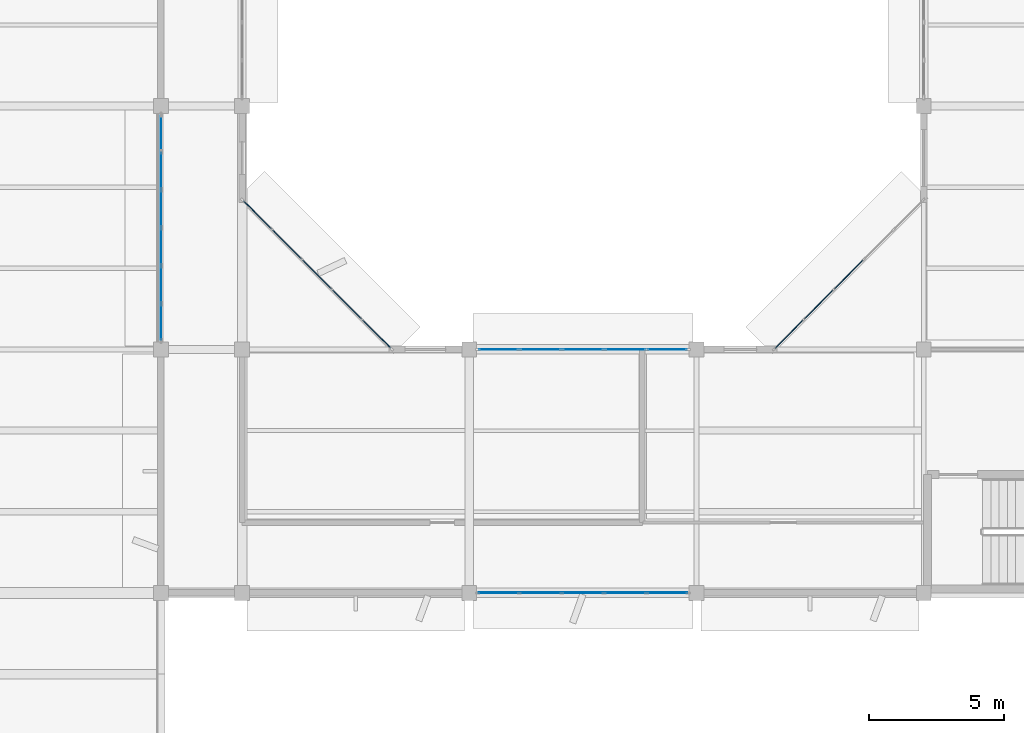
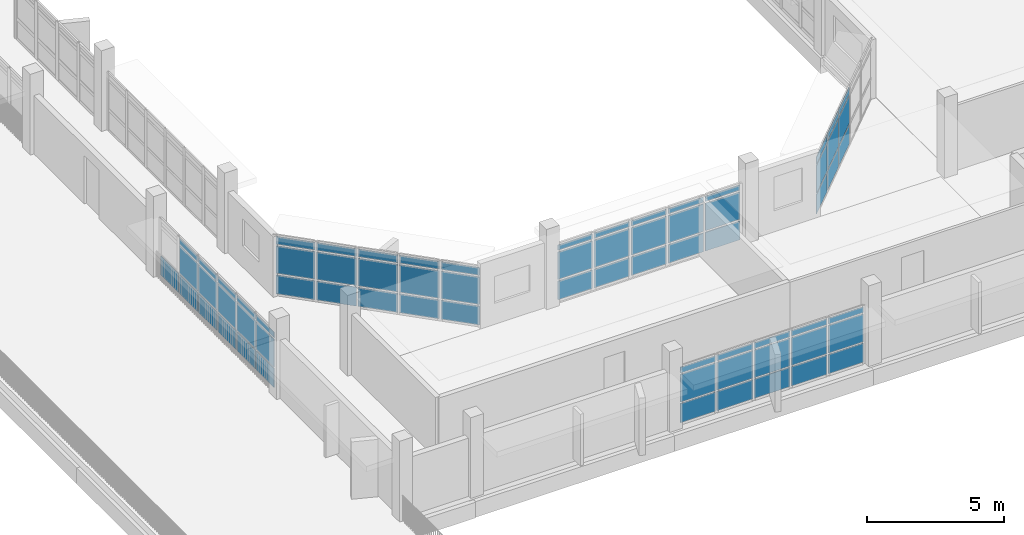
# One storey, part 46 of 92: 70 plates, 5 elements without a shape of their own.
"""IFC4 building model written with IfcOpenShell, lengths in metres."""

from ifc_helpers import new_model, si_unit, direction, frame, origin, origin_2d, place, context, subcontext, project, spatial, rectangle, extrude, material, layer, layer_set, type_object, element, aggregate, save


model = new_model("IFC4")

# Units and contexts
model_context = context("Model", 3, precision=1e-05, world=origin(), true_north=direction((0.0, 1.0)))
body_context = subcontext(model_context, "Body", "Model", "MODEL_VIEW")
ifc_project = project(units=[si_unit("LENGTHUNIT", "METRE"), si_unit("AREAUNIT", "SQUARE_METRE"), si_unit("VOLUMEUNIT", "CUBIC_METRE"), si_unit("PLANEANGLEUNIT", "RADIAN"), si_unit("MASSUNIT", "GRAM", prefix="KILO")], contexts=[model_context])

# Site, building, storey
site_placement = place(None, origin())
site = spatial("IfcSite", under=ifc_project, at=site_placement, CompositionType="ELEMENT")
building_placement = place(site_placement, origin())
building = spatial("IfcBuilding", under=site, at=building_placement, Name="Vanh Quang Courtyard School", CompositionType="ELEMENT")
storey_placement = place(building_placement, frame((0.0, 0.0, 7.800048828125)))
storey = spatial("IfcBuildingStorey", under=building, at=storey_placement, Name="L02", CompositionType="ELEMENT", Elevation=7.800048828125)

# Curtain wall, plates
ifc_material_1 = material(Name="Thermally broken aluminium unitised curtain wall", Category="aluminium")
curtain_wall_type_1 = type_object("IfcCurtainWallType", Name="CW-SYS-48", PredefinedType="NOTDEFINED", material=ifc_material_1)
curtain_wall_1_placement = place(storey_placement, origin())
curtain_wall_1 = element("IfcCurtainWall", 1, at=curtain_wall_1_placement, inside=storey, type_object=curtain_wall_type_1, Name="Curtain Wall CW-48 (L02)", PredefinedType="NOTDEFINED")
ifc_material_2 = material(Name="Low-E laminated double glazing", Category="glass")
ifc_layer_1 = layer(ifc_material_2, 0.028076171875)
ifc_layer_set_1 = layer_set([ifc_layer_1], Name="Low-E laminated double glazing")
plate_type_1 = type_object("IfcPlateType", Name="CW-PNL-28", PredefinedType="CURTAIN_PANEL", material=ifc_layer_set_1)
plate_1_placement = place(storey_placement, frame((37.800048828125, 42.4033203125, 0.06982421875), z_axis=(0.0, 0.0, 1.0), x_axis=(0.0, 1.0, 0.0)))
plate_1 = element("IfcPlate", 2, at=plate_1_placement, type_object=plate_type_1, Name="CW-48 panel 1.1", PredefinedType="CURTAIN_PANEL", context=body_context, shape_type="SweptSolid", body=[
    extrude(rectangle(XDim=1.30078125, YDim=0.028076171875, at=origin_2d()), origin(), (0.0, 0.0, 1.0), 0.844970703125),
])
plate_2_placement = place(storey_placement, frame((37.800048828125, 42.4033203125, 0.98486328125), z_axis=(0.0, 0.0, 1.0), x_axis=(0.0, 1.0, 0.0)))
plate_2 = element("IfcPlate", 3, at=plate_2_placement, type_object=plate_type_1, Name="CW-48 panel 1.2", PredefinedType="CURTAIN_PANEL", context=body_context, shape_type="SweptSolid", body=[
    extrude(rectangle(XDim=1.30078125, YDim=0.028076171875, at=origin_2d()), origin(), (0.0, 0.0, 1.0), 1.22998046875),
])
plate_3_placement = place(storey_placement, frame((37.800048828125, 42.4033203125, 2.284912109375), z_axis=(0.0, 0.0, 1.0), x_axis=(0.0, 1.0, 0.0)))
plate_3 = element("IfcPlate", 4, at=plate_3_placement, type_object=plate_type_1, Name="CW-48 panel 1.3", PredefinedType="CURTAIN_PANEL", context=body_context, shape_type="SweptSolid", body=[
    extrude(rectangle(XDim=1.30078125, YDim=0.028076171875, at=origin_2d()), origin(), (0.0, 0.0, 1.0), 0.2451171875),
])
plate_4_placement = place(storey_placement, frame((37.800048828125, 43.79150390625, 0.06982421875), z_axis=(0.0, 0.0, 1.0), x_axis=(0.0, 1.0, 0.0)))
plate_4 = element("IfcPlate", 5, at=plate_4_placement, type_object=plate_type_1, Name="CW-48 panel 2.1", PredefinedType="CURTAIN_PANEL", context=body_context, shape_type="SweptSolid", body=[
    extrude(rectangle(XDim=1.335693359375, YDim=0.028076171875, at=origin_2d()), origin(), (0.0, 0.0, 1.0), 0.844970703125),
])
plate_5_placement = place(storey_placement, frame((37.800048828125, 43.79150390625, 0.98486328125), z_axis=(0.0, 0.0, 1.0), x_axis=(0.0, 1.0, 0.0)))
plate_5 = element("IfcPlate", 6, at=plate_5_placement, type_object=plate_type_1, Name="CW-48 panel 2.2", PredefinedType="CURTAIN_PANEL", context=body_context, shape_type="SweptSolid", body=[
    extrude(rectangle(XDim=1.335693359375, YDim=0.028076171875, at=origin_2d()), origin(), (0.0, 0.0, 1.0), 1.22998046875),
])
plate_6_placement = place(storey_placement, frame((37.800048828125, 43.79150390625, 2.284912109375), z_axis=(0.0, 0.0, 1.0), x_axis=(0.0, 1.0, 0.0)))
plate_6 = element("IfcPlate", 7, at=plate_6_placement, type_object=plate_type_1, Name="CW-48 panel 2.3", PredefinedType="CURTAIN_PANEL", context=body_context, shape_type="SweptSolid", body=[
    extrude(rectangle(XDim=1.335693359375, YDim=0.028076171875, at=origin_2d()), origin(), (0.0, 0.0, 1.0), 0.2451171875),
])
plate_7_placement = place(storey_placement, frame((37.800048828125, 45.197265625, 0.06982421875), z_axis=(0.0, 0.0, 1.0), x_axis=(0.0, 1.0, 0.0)))
plate_7 = element("IfcPlate", 8, at=plate_7_placement, type_object=plate_type_1, Name="CW-48 panel 3.1", PredefinedType="CURTAIN_PANEL", context=body_context, shape_type="SweptSolid", body=[
    extrude(rectangle(XDim=1.335693359375, YDim=0.028076171875, at=origin_2d()), origin(), (0.0, 0.0, 1.0), 0.844970703125),
])
plate_8_placement = place(storey_placement, frame((37.800048828125, 45.197265625, 0.98486328125), z_axis=(0.0, 0.0, 1.0), x_axis=(0.0, 1.0, 0.0)))
plate_8 = element("IfcPlate", 9, at=plate_8_placement, type_object=plate_type_1, Name="CW-48 panel 3.2", PredefinedType="CURTAIN_PANEL", context=body_context, shape_type="SweptSolid", body=[
    extrude(rectangle(XDim=1.335693359375, YDim=0.028076171875, at=origin_2d()), origin(), (0.0, 0.0, 1.0), 1.22998046875),
])
plate_9_placement = place(storey_placement, frame((37.800048828125, 45.197265625, 2.284912109375), z_axis=(0.0, 0.0, 1.0), x_axis=(0.0, 1.0, 0.0)))
plate_9 = element("IfcPlate", 10, at=plate_9_placement, type_object=plate_type_1, Name="CW-48 panel 3.3", PredefinedType="CURTAIN_PANEL", context=body_context, shape_type="SweptSolid", body=[
    extrude(rectangle(XDim=1.335693359375, YDim=0.028076171875, at=origin_2d()), origin(), (0.0, 0.0, 1.0), 0.2451171875),
])
plate_10_placement = place(storey_placement, frame((37.800048828125, 46.602783203125, 0.06982421875), z_axis=(0.0, 0.0, 1.0), x_axis=(0.0, 1.0, 0.0)))
plate_10 = element("IfcPlate", 11, at=plate_10_placement, type_object=plate_type_1, Name="CW-48 panel 4.1", PredefinedType="CURTAIN_PANEL", context=body_context, shape_type="SweptSolid", body=[
    extrude(rectangle(XDim=1.335693359375, YDim=0.028076171875, at=origin_2d()), origin(), (0.0, 0.0, 1.0), 0.844970703125),
])
plate_11_placement = place(storey_placement, frame((37.800048828125, 46.602783203125, 0.98486328125), z_axis=(0.0, 0.0, 1.0), x_axis=(0.0, 1.0, 0.0)))
plate_11 = element("IfcPlate", 12, at=plate_11_placement, type_object=plate_type_1, Name="CW-48 panel 4.2", PredefinedType="CURTAIN_PANEL", context=body_context, shape_type="SweptSolid", body=[
    extrude(rectangle(XDim=1.335693359375, YDim=0.028076171875, at=origin_2d()), origin(), (0.0, 0.0, 1.0), 1.22998046875),
])
plate_12_placement = place(storey_placement, frame((37.800048828125, 46.602783203125, 2.284912109375), z_axis=(0.0, 0.0, 1.0), x_axis=(0.0, 1.0, 0.0)))
plate_12 = element("IfcPlate", 13, at=plate_12_placement, type_object=plate_type_1, Name="CW-48 panel 4.3", PredefinedType="CURTAIN_PANEL", context=body_context, shape_type="SweptSolid", body=[
    extrude(rectangle(XDim=1.335693359375, YDim=0.028076171875, at=origin_2d()), origin(), (0.0, 0.0, 1.0), 0.2451171875),
])
plate_13_placement = place(storey_placement, frame((37.800048828125, 48.008544921875, 0.06982421875), z_axis=(0.0, 0.0, 1.0), x_axis=(0.0, 1.0, 0.0)))
plate_13 = element("IfcPlate", 14, at=plate_13_placement, type_object=plate_type_1, Name="CW-48 panel 5.1", PredefinedType="CURTAIN_PANEL", context=body_context, shape_type="SweptSolid", body=[
    extrude(rectangle(XDim=1.335693359375, YDim=0.028076171875, at=origin_2d()), origin(), (0.0, 0.0, 1.0), 0.844970703125),
])
plate_14_placement = place(storey_placement, frame((37.800048828125, 48.008544921875, 0.98486328125), z_axis=(0.0, 0.0, 1.0), x_axis=(0.0, 1.0, 0.0)))
plate_14 = element("IfcPlate", 15, at=plate_14_placement, type_object=plate_type_1, Name="CW-48 panel 5.2", PredefinedType="CURTAIN_PANEL", context=body_context, shape_type="SweptSolid", body=[
    extrude(rectangle(XDim=1.335693359375, YDim=0.028076171875, at=origin_2d()), origin(), (0.0, 0.0, 1.0), 1.22998046875),
])
plate_15_placement = place(storey_placement, frame((37.800048828125, 48.008544921875, 2.284912109375), z_axis=(0.0, 0.0, 1.0), x_axis=(0.0, 1.0, 0.0)))
plate_15 = element("IfcPlate", 16, at=plate_15_placement, type_object=plate_type_1, Name="CW-48 panel 5.3", PredefinedType="CURTAIN_PANEL", context=body_context, shape_type="SweptSolid", body=[
    extrude(rectangle(XDim=1.335693359375, YDim=0.028076171875, at=origin_2d()), origin(), (0.0, 0.0, 1.0), 0.2451171875),
])
plate_16_placement = place(storey_placement, frame((37.800048828125, 49.396728515625, 0.06982421875), z_axis=(0.0, 0.0, 1.0), x_axis=(0.0, 1.0, 0.0)))
plate_16 = element("IfcPlate", 17, at=plate_16_placement, type_object=plate_type_1, Name="CW-48 panel 6.1", PredefinedType="CURTAIN_PANEL", context=body_context, shape_type="SweptSolid", body=[
    extrude(rectangle(XDim=1.30078125, YDim=0.028076171875, at=origin_2d()), origin(), (0.0, 0.0, 1.0), 0.844970703125),
])
aggregate(curtain_wall_1, [plate_1, plate_2, plate_3, plate_4, plate_5, plate_6, plate_7, plate_8, plate_9, plate_10, plate_11, plate_12, plate_13, plate_14, plate_15, plate_16])

curtain_wall_type_2 = type_object("IfcCurtainWallType", Name="CW-SYS-51", PredefinedType="NOTDEFINED", material=ifc_material_1)
curtain_wall_2_placement = place(storey_placement, origin())
curtain_wall_2 = element("IfcCurtainWall", 18, at=curtain_wall_2_placement, inside=storey, type_object=curtain_wall_type_2, Name="Curtain Wall CW-51 (L02)", PredefinedType="NOTDEFINED")
plate_17_placement = place(storey_placement, frame((41.36669921875, 46.377197265625, 0.06982421875), z_axis=(0.0, 0.0, 1.0), x_axis=(0.707106781187, -0.707106781187, 0.0)))
plate_17 = element("IfcPlate", 19, at=plate_17_placement, type_object=plate_type_1, Name="CW-51 panel 1.1", PredefinedType="CURTAIN_PANEL", context=body_context, shape_type="SweptSolid", body=[
    extrude(rectangle(XDim=1.463134765625, YDim=0.028076171875, at=origin_2d()), origin(), (0.0, 0.0, 1.0), 0.844970703125),
])
plate_18_placement = place(storey_placement, frame((41.36669921875, 46.377197265625, 0.98486328125), z_axis=(0.0, 0.0, 1.0), x_axis=(0.707106781187, -0.707106781187, 0.0)))
plate_18 = element("IfcPlate", 20, at=plate_18_placement, type_object=plate_type_1, Name="CW-51 panel 1.2", PredefinedType="CURTAIN_PANEL", context=body_context, shape_type="SweptSolid", body=[
    extrude(rectangle(XDim=1.463134765625, YDim=0.028076171875, at=origin_2d()), origin(), (0.0, 0.0, 1.0), 1.22998046875),
])
plate_19_placement = place(storey_placement, frame((41.36669921875, 46.377197265625, 2.28515625), z_axis=(0.0, 0.0, 1.0), x_axis=(0.707106781187, -0.707106781187, 0.0)))
plate_19 = element("IfcPlate", 21, at=plate_19_placement, type_object=plate_type_1, Name="CW-51 panel 1.3", PredefinedType="CURTAIN_PANEL", context=body_context, shape_type="SweptSolid", body=[
    extrude(rectangle(XDim=1.463134765625, YDim=0.028076171875, at=origin_2d()), origin(), (0.0, 0.0, 1.0), 0.344970703125),
])
plate_20_placement = place(storey_placement, frame((42.463134765625, 45.28076171875, 0.06982421875), z_axis=(0.0, 0.0, 1.0), x_axis=(0.707106781187, -0.707106781187, 0.0)))
plate_20 = element("IfcPlate", 22, at=plate_20_placement, type_object=plate_type_1, Name="CW-51 panel 2.1", PredefinedType="CURTAIN_PANEL", context=body_context, shape_type="SweptSolid", body=[
    extrude(rectangle(XDim=1.498046875, YDim=0.028076171875, at=origin_2d()), origin(), (0.0, 0.0, 1.0), 0.844970703125),
])
plate_21_placement = place(storey_placement, frame((42.463134765625, 45.28076171875, 0.98486328125), z_axis=(0.0, 0.0, 1.0), x_axis=(0.707106781187, -0.707106781187, 0.0)))
plate_21 = element("IfcPlate", 23, at=plate_21_placement, type_object=plate_type_1, Name="CW-51 panel 2.2", PredefinedType="CURTAIN_PANEL", context=body_context, shape_type="SweptSolid", body=[
    extrude(rectangle(XDim=1.498046875, YDim=0.028076171875, at=origin_2d()), origin(), (0.0, 0.0, 1.0), 1.22998046875),
])
plate_22_placement = place(storey_placement, frame((42.463134765625, 45.28076171875, 2.28515625), z_axis=(0.0, 0.0, 1.0), x_axis=(0.707106781187, -0.707106781187, 0.0)))
plate_22 = element("IfcPlate", 24, at=plate_22_placement, type_object=plate_type_1, Name="CW-51 panel 2.3", PredefinedType="CURTAIN_PANEL", context=body_context, shape_type="SweptSolid", body=[
    extrude(rectangle(XDim=1.498046875, YDim=0.028076171875, at=origin_2d()), origin(), (0.0, 0.0, 1.0), 0.344970703125),
])
plate_23_placement = place(storey_placement, frame((43.572021484375, 44.172119140625, 0.06982421875), z_axis=(0.0, 0.0, 1.0), x_axis=(0.707106781187, -0.707106781187, 0.0)))
plate_23 = element("IfcPlate", 25, at=plate_23_placement, type_object=plate_type_1, Name="CW-51 panel 3.1", PredefinedType="CURTAIN_PANEL", context=body_context, shape_type="SweptSolid", body=[
    extrude(rectangle(XDim=1.498046875, YDim=0.028076171875, at=origin_2d()), origin(), (0.0, 0.0, 1.0), 0.844970703125),
])
plate_24_placement = place(storey_placement, frame((43.572021484375, 44.172119140625, 0.98486328125), z_axis=(0.0, 0.0, 1.0), x_axis=(0.707106781187, -0.707106781187, 0.0)))
plate_24 = element("IfcPlate", 26, at=plate_24_placement, type_object=plate_type_1, Name="CW-51 panel 3.2", PredefinedType="CURTAIN_PANEL", context=body_context, shape_type="SweptSolid", body=[
    extrude(rectangle(XDim=1.498046875, YDim=0.028076171875, at=origin_2d()), origin(), (0.0, 0.0, 1.0), 1.22998046875),
])
plate_25_placement = place(storey_placement, frame((43.572021484375, 44.172119140625, 2.28515625), z_axis=(0.0, 0.0, 1.0), x_axis=(0.707106781187, -0.707106781187, 0.0)))
plate_25 = element("IfcPlate", 27, at=plate_25_placement, type_object=plate_type_1, Name="CW-51 panel 3.3", PredefinedType="CURTAIN_PANEL", context=body_context, shape_type="SweptSolid", body=[
    extrude(rectangle(XDim=1.498046875, YDim=0.028076171875, at=origin_2d()), origin(), (0.0, 0.0, 1.0), 0.344970703125),
])
plate_26_placement = place(storey_placement, frame((44.680908203125, 43.063232421875, 0.06982421875), z_axis=(0.0, 0.0, 1.0), x_axis=(0.707106781187, -0.707106781187, 0.0)))
plate_26 = element("IfcPlate", 28, at=plate_26_placement, type_object=plate_type_1, Name="CW-51 panel 4.1", PredefinedType="CURTAIN_PANEL", context=body_context, shape_type="SweptSolid", body=[
    extrude(rectangle(XDim=1.498046875, YDim=0.028076171875, at=origin_2d()), origin(), (0.0, 0.0, 1.0), 0.844970703125),
])
plate_27_placement = place(storey_placement, frame((44.680908203125, 43.063232421875, 0.98486328125), z_axis=(0.0, 0.0, 1.0), x_axis=(0.707106781187, -0.707106781187, 0.0)))
plate_27 = element("IfcPlate", 29, at=plate_27_placement, type_object=plate_type_1, Name="CW-51 panel 4.2", PredefinedType="CURTAIN_PANEL", context=body_context, shape_type="SweptSolid", body=[
    extrude(rectangle(XDim=1.498046875, YDim=0.028076171875, at=origin_2d()), origin(), (0.0, 0.0, 1.0), 1.22998046875),
])
plate_28_placement = place(storey_placement, frame((44.680908203125, 43.063232421875, 2.28515625), z_axis=(0.0, 0.0, 1.0), x_axis=(0.707106781187, -0.707106781187, 0.0)))
plate_28 = element("IfcPlate", 30, at=plate_28_placement, type_object=plate_type_1, Name="CW-51 panel 4.3", PredefinedType="CURTAIN_PANEL", context=body_context, shape_type="SweptSolid", body=[
    extrude(rectangle(XDim=1.498046875, YDim=0.028076171875, at=origin_2d()), origin(), (0.0, 0.0, 1.0), 0.344970703125),
])
plate_29_placement = place(storey_placement, frame((45.77734375, 41.966796875, 0.06982421875), z_axis=(0.0, 0.0, 1.0), x_axis=(0.707106781187, -0.707106781187, 0.0)))
plate_29 = element("IfcPlate", 31, at=plate_29_placement, type_object=plate_type_1, Name="CW-51 panel 5.1", PredefinedType="CURTAIN_PANEL", context=body_context, shape_type="SweptSolid", body=[
    extrude(rectangle(XDim=1.463134765625, YDim=0.028076171875, at=origin_2d()), origin(), (0.0, 0.0, 1.0), 0.844970703125),
])
plate_30_placement = place(storey_placement, frame((45.77734375, 41.966796875, 0.98486328125), z_axis=(0.0, 0.0, 1.0), x_axis=(0.707106781187, -0.707106781187, 0.0)))
plate_30 = element("IfcPlate", 32, at=plate_30_placement, type_object=plate_type_1, Name="CW-51 panel 5.2", PredefinedType="CURTAIN_PANEL", context=body_context, shape_type="SweptSolid", body=[
    extrude(rectangle(XDim=1.463134765625, YDim=0.028076171875, at=origin_2d()), origin(), (0.0, 0.0, 1.0), 1.22998046875),
])
plate_31_placement = place(storey_placement, frame((45.77734375, 41.966796875, 2.28515625), z_axis=(0.0, 0.0, 1.0), x_axis=(0.707106781187, -0.707106781187, 0.0)))
plate_31 = element("IfcPlate", 33, at=plate_31_placement, type_object=plate_type_1, Name="CW-51 panel 5.3", PredefinedType="CURTAIN_PANEL", context=body_context, shape_type="SweptSolid", body=[
    extrude(rectangle(XDim=1.463134765625, YDim=0.028076171875, at=origin_2d()), origin(), (0.0, 0.0, 1.0), 0.344970703125),
])
aggregate(curtain_wall_2, [plate_17, plate_18, plate_19, plate_20, plate_21, plate_22, plate_23, plate_24, plate_25, plate_26, plate_27, plate_28, plate_29, plate_30, plate_31])

curtain_wall_type_3 = type_object("IfcCurtainWallType", Name="CW-SYS-24", PredefinedType="NOTDEFINED", material=ifc_material_1)
curtain_wall_3_placement = place(storey_placement, origin())
curtain_wall_3 = element("IfcCurtainWall", 34, at=curtain_wall_3_placement, inside=storey, type_object=curtain_wall_type_3, Name="Curtain Wall CW-24 (L02)", PredefinedType="NOTDEFINED")
plate_32_placement = place(storey_placement, frame((61.02099609375, 41.965087890625, 0.06005859375), z_axis=(0.0, 0.0, 1.0), x_axis=(0.707106781187, 0.707106781187, 0.0)))
plate_32 = element("IfcPlate", 35, at=plate_32_placement, type_object=plate_type_1, Name="CW-24 panel 1.1", PredefinedType="CURTAIN_PANEL", context=body_context, shape_type="SweptSolid", body=[
    extrude(rectangle(XDim=1.47802734375, YDim=0.028076171875, at=origin_2d()), origin(), (0.0, 0.0, 1.0), 0.860107421875),
])
plate_33_placement = place(storey_placement, frame((61.02099609375, 41.965087890625, 0.97998046875), z_axis=(0.0, 0.0, 1.0), x_axis=(0.707106781187, 0.707106781187, 0.0)))
plate_33 = element("IfcPlate", 36, at=plate_33_placement, type_object=plate_type_1, Name="CW-24 panel 1.2", PredefinedType="CURTAIN_PANEL", context=body_context, shape_type="SweptSolid", body=[
    extrude(rectangle(XDim=1.47802734375, YDim=0.028076171875, at=origin_2d()), origin(), (0.0, 0.0, 1.0), 1.239990234375),
])
plate_34_placement = place(storey_placement, frame((61.02099609375, 41.965087890625, 2.280029296875), z_axis=(0.0, 0.0, 1.0), x_axis=(0.707106781187, 0.707106781187, 0.0)))
plate_34 = element("IfcPlate", 37, at=plate_34_placement, type_object=plate_type_1, Name="CW-24 panel 1.3", PredefinedType="CURTAIN_PANEL", context=body_context, shape_type="SweptSolid", body=[
    extrude(rectangle(XDim=1.47802734375, YDim=0.028076171875, at=origin_2d()), origin(), (0.0, 0.0, 1.0), 0.31005859375),
])
plate_35_placement = place(storey_placement, frame((62.119140625, 43.063232421875, 0.06005859375), z_axis=(0.0, 0.0, 1.0), x_axis=(0.707106781187, 0.707106781187, 0.0)))
plate_35 = element("IfcPlate", 38, at=plate_35_placement, type_object=plate_type_1, Name="CW-24 panel 2.1", PredefinedType="CURTAIN_PANEL", context=body_context, shape_type="SweptSolid", body=[
    extrude(rectangle(XDim=1.508056640625, YDim=0.028076171875, at=origin_2d()), origin(), (0.0, 0.0, 1.0), 0.860107421875),
])
plate_36_placement = place(storey_placement, frame((62.119140625, 43.063232421875, 0.97998046875), z_axis=(0.0, 0.0, 1.0), x_axis=(0.707106781187, 0.707106781187, 0.0)))
plate_36 = element("IfcPlate", 39, at=plate_36_placement, type_object=plate_type_1, Name="CW-24 panel 2.2", PredefinedType="CURTAIN_PANEL", context=body_context, shape_type="SweptSolid", body=[
    extrude(rectangle(XDim=1.508056640625, YDim=0.028076171875, at=origin_2d()), origin(), (0.0, 0.0, 1.0), 1.239990234375),
])
plate_37_placement = place(storey_placement, frame((62.119140625, 43.063232421875, 2.280029296875), z_axis=(0.0, 0.0, 1.0), x_axis=(0.707106781187, 0.707106781187, 0.0)))
plate_37 = element("IfcPlate", 40, at=plate_37_placement, type_object=plate_type_1, Name="CW-24 panel 2.3", PredefinedType="CURTAIN_PANEL", context=body_context, shape_type="SweptSolid", body=[
    extrude(rectangle(XDim=1.508056640625, YDim=0.028076171875, at=origin_2d()), origin(), (0.0, 0.0, 1.0), 0.31005859375),
])
plate_38_placement = place(storey_placement, frame((63.22802734375, 44.172119140625, 0.06005859375), z_axis=(0.0, 0.0, 1.0), x_axis=(0.707106781187, 0.707106781187, 0.0)))
plate_38 = element("IfcPlate", 41, at=plate_38_placement, type_object=plate_type_1, Name="CW-24 panel 3.1", PredefinedType="CURTAIN_PANEL", context=body_context, shape_type="SweptSolid", body=[
    extrude(rectangle(XDim=1.508056640625, YDim=0.028076171875, at=origin_2d()), origin(), (0.0, 0.0, 1.0), 0.860107421875),
])
plate_39_placement = place(storey_placement, frame((63.22802734375, 44.172119140625, 0.97998046875), z_axis=(0.0, 0.0, 1.0), x_axis=(0.707106781187, 0.707106781187, 0.0)))
plate_39 = element("IfcPlate", 42, at=plate_39_placement, type_object=plate_type_1, Name="CW-24 panel 3.2", PredefinedType="CURTAIN_PANEL", context=body_context, shape_type="SweptSolid", body=[
    extrude(rectangle(XDim=1.508056640625, YDim=0.028076171875, at=origin_2d()), origin(), (0.0, 0.0, 1.0), 1.239990234375),
])
plate_40_placement = place(storey_placement, frame((63.22802734375, 44.172119140625, 2.280029296875), z_axis=(0.0, 0.0, 1.0), x_axis=(0.707106781187, 0.707106781187, 0.0)))
plate_40 = element("IfcPlate", 43, at=plate_40_placement, type_object=plate_type_1, Name="CW-24 panel 3.3", PredefinedType="CURTAIN_PANEL", context=body_context, shape_type="SweptSolid", body=[
    extrude(rectangle(XDim=1.508056640625, YDim=0.028076171875, at=origin_2d()), origin(), (0.0, 0.0, 1.0), 0.31005859375),
])
aggregate(curtain_wall_3, [plate_32, plate_33, plate_34, plate_35, plate_36, plate_37, plate_38, plate_39, plate_40])

curtain_wall_4_placement = place(storey_placement, origin())
curtain_wall_4 = element("IfcCurtainWall", 44, at=curtain_wall_4_placement, inside=storey, type_object=curtain_wall_type_3, Name="Curtain Wall CW-24 (L02)", PredefinedType="NOTDEFINED")
ifc_layer_2 = layer(ifc_material_2, 0.031982421875)
ifc_layer_set_2 = layer_set([ifc_layer_2], Name="Low-E laminated double glazing")
plate_type_2 = type_object("IfcPlateType", Name="CW-PNL-32", PredefinedType="CURTAIN_PANEL", material=ifc_layer_set_2)
plate_41_placement = place(storey_placement, frame((56.5185546875, 32.39990234375, 0.06005859375), z_axis=(0.0, 0.0, 1.0), x_axis=(-1.0, 0.0, 0.0)))
plate_41 = element("IfcPlate", 45, at=plate_41_placement, type_object=plate_type_2, Name="CW-24 panel 1.1", PredefinedType="CURTAIN_PANEL", context=body_context, shape_type="SweptSolid", body=[
    extrude(rectangle(XDim=1.476806640625, YDim=0.031982421875, at=origin_2d()), origin(), (0.0, 0.0, 1.0), 0.860107421875),
])
plate_42_placement = place(storey_placement, frame((56.5185546875, 32.39990234375, 0.97998046875), z_axis=(0.0, 0.0, 1.0), x_axis=(-1.0, 0.0, 0.0)))
plate_42 = element("IfcPlate", 46, at=plate_42_placement, type_object=plate_type_2, Name="CW-24 panel 1.2", PredefinedType="CURTAIN_PANEL", context=body_context, shape_type="SweptSolid", body=[
    extrude(rectangle(XDim=1.476806640625, YDim=0.031982421875, at=origin_2d()), origin(), (0.0, 0.0, 1.0), 1.239990234375),
])
plate_43_placement = place(storey_placement, frame((56.5185546875, 32.39990234375, 2.27978515625), z_axis=(0.0, 0.0, 1.0), x_axis=(-1.0, 0.0, 0.0)))
plate_43 = element("IfcPlate", 47, at=plate_43_placement, type_object=plate_type_2, Name="CW-24 panel 1.3", PredefinedType="CURTAIN_PANEL", context=body_context, shape_type="SweptSolid", body=[
    extrude(rectangle(XDim=1.476806640625, YDim=0.031982421875, at=origin_2d()), origin(), (0.0, 0.0, 1.0), 0.260009765625),
])
plate_44_placement = place(storey_placement, frame((54.966796875, 32.39990234375, 0.06005859375), z_axis=(0.0, 0.0, 1.0), x_axis=(-1.0, 0.0, 0.0)))
plate_44 = element("IfcPlate", 48, at=plate_44_placement, type_object=plate_type_2, Name="CW-24 panel 2.1", PredefinedType="CURTAIN_PANEL", context=body_context, shape_type="SweptSolid", body=[
    extrude(rectangle(XDim=1.5068359375, YDim=0.031982421875, at=origin_2d()), origin(), (0.0, 0.0, 1.0), 0.860107421875),
])
plate_45_placement = place(storey_placement, frame((54.966796875, 32.39990234375, 0.97998046875), z_axis=(0.0, 0.0, 1.0), x_axis=(-1.0, 0.0, 0.0)))
plate_45 = element("IfcPlate", 49, at=plate_45_placement, type_object=plate_type_2, Name="CW-24 panel 2.2", PredefinedType="CURTAIN_PANEL", context=body_context, shape_type="SweptSolid", body=[
    extrude(rectangle(XDim=1.5068359375, YDim=0.031982421875, at=origin_2d()), origin(), (0.0, 0.0, 1.0), 1.239990234375),
])
plate_46_placement = place(storey_placement, frame((54.966796875, 32.39990234375, 2.27978515625), z_axis=(0.0, 0.0, 1.0), x_axis=(-1.0, 0.0, 0.0)))
plate_46 = element("IfcPlate", 50, at=plate_46_placement, type_object=plate_type_2, Name="CW-24 panel 2.3", PredefinedType="CURTAIN_PANEL", context=body_context, shape_type="SweptSolid", body=[
    extrude(rectangle(XDim=1.5068359375, YDim=0.031982421875, at=origin_2d()), origin(), (0.0, 0.0, 1.0), 0.260009765625),
])
plate_47_placement = place(storey_placement, frame((53.39990234375, 32.39990234375, 0.06005859375), z_axis=(0.0, 0.0, 1.0), x_axis=(-1.0, 0.0, 0.0)))
plate_47 = element("IfcPlate", 51, at=plate_47_placement, type_object=plate_type_2, Name="CW-24 panel 3.1", PredefinedType="CURTAIN_PANEL", context=body_context, shape_type="SweptSolid", body=[
    extrude(rectangle(XDim=1.5068359375, YDim=0.031982421875, at=origin_2d()), origin(), (0.0, 0.0, 1.0), 0.860107421875),
])
plate_48_placement = place(storey_placement, frame((53.39990234375, 32.39990234375, 0.97998046875), z_axis=(0.0, 0.0, 1.0), x_axis=(-1.0, 0.0, 0.0)))
plate_48 = element("IfcPlate", 52, at=plate_48_placement, type_object=plate_type_2, Name="CW-24 panel 3.2", PredefinedType="CURTAIN_PANEL", context=body_context, shape_type="SweptSolid", body=[
    extrude(rectangle(XDim=1.5068359375, YDim=0.031982421875, at=origin_2d()), origin(), (0.0, 0.0, 1.0), 1.239990234375),
])
plate_49_placement = place(storey_placement, frame((53.39990234375, 32.39990234375, 2.27978515625), z_axis=(0.0, 0.0, 1.0), x_axis=(-1.0, 0.0, 0.0)))
plate_49 = element("IfcPlate", 53, at=plate_49_placement, type_object=plate_type_2, Name="CW-24 panel 3.3", PredefinedType="CURTAIN_PANEL", context=body_context, shape_type="SweptSolid", body=[
    extrude(rectangle(XDim=1.5068359375, YDim=0.031982421875, at=origin_2d()), origin(), (0.0, 0.0, 1.0), 0.260009765625),
])
plate_50_placement = place(storey_placement, frame((51.833251953125, 32.39990234375, 0.06005859375), z_axis=(0.0, 0.0, 1.0), x_axis=(-1.0, 0.0, 0.0)))
plate_50 = element("IfcPlate", 54, at=plate_50_placement, type_object=plate_type_2, Name="CW-24 panel 4.1", PredefinedType="CURTAIN_PANEL", context=body_context, shape_type="SweptSolid", body=[
    extrude(rectangle(XDim=1.5068359375, YDim=0.031982421875, at=origin_2d()), origin(), (0.0, 0.0, 1.0), 0.860107421875),
])
plate_51_placement = place(storey_placement, frame((51.833251953125, 32.39990234375, 0.97998046875), z_axis=(0.0, 0.0, 1.0), x_axis=(-1.0, 0.0, 0.0)))
plate_51 = element("IfcPlate", 55, at=plate_51_placement, type_object=plate_type_2, Name="CW-24 panel 4.2", PredefinedType="CURTAIN_PANEL", context=body_context, shape_type="SweptSolid", body=[
    extrude(rectangle(XDim=1.5068359375, YDim=0.031982421875, at=origin_2d()), origin(), (0.0, 0.0, 1.0), 1.239990234375),
])
plate_52_placement = place(storey_placement, frame((51.833251953125, 32.39990234375, 2.27978515625), z_axis=(0.0, 0.0, 1.0), x_axis=(-1.0, 0.0, 0.0)))
plate_52 = element("IfcPlate", 56, at=plate_52_placement, type_object=plate_type_2, Name="CW-24 panel 4.3", PredefinedType="CURTAIN_PANEL", context=body_context, shape_type="SweptSolid", body=[
    extrude(rectangle(XDim=1.5068359375, YDim=0.031982421875, at=origin_2d()), origin(), (0.0, 0.0, 1.0), 0.260009765625),
])
plate_53_placement = place(storey_placement, frame((50.281494140625, 32.39990234375, 0.06005859375), z_axis=(0.0, 0.0, 1.0), x_axis=(-1.0, 0.0, 0.0)))
plate_53 = element("IfcPlate", 57, at=plate_53_placement, type_object=plate_type_2, Name="CW-24 panel 5.1", PredefinedType="CURTAIN_PANEL", context=body_context, shape_type="SweptSolid", body=[
    extrude(rectangle(XDim=1.476806640625, YDim=0.031982421875, at=origin_2d()), origin(), (0.0, 0.0, 1.0), 0.860107421875),
])
plate_54_placement = place(storey_placement, frame((50.281494140625, 32.39990234375, 0.97998046875), z_axis=(0.0, 0.0, 1.0), x_axis=(-1.0, 0.0, 0.0)))
plate_54 = element("IfcPlate", 58, at=plate_54_placement, type_object=plate_type_2, Name="CW-24 panel 5.2", PredefinedType="CURTAIN_PANEL", context=body_context, shape_type="SweptSolid", body=[
    extrude(rectangle(XDim=1.476806640625, YDim=0.031982421875, at=origin_2d()), origin(), (0.0, 0.0, 1.0), 1.239990234375),
])
plate_55_placement = place(storey_placement, frame((50.281494140625, 32.39990234375, 2.27978515625), z_axis=(0.0, 0.0, 1.0), x_axis=(-1.0, 0.0, 0.0)))
plate_55 = element("IfcPlate", 59, at=plate_55_placement, type_object=plate_type_2, Name="CW-24 panel 5.3", PredefinedType="CURTAIN_PANEL", context=body_context, shape_type="SweptSolid", body=[
    extrude(rectangle(XDim=1.476806640625, YDim=0.031982421875, at=origin_2d()), origin(), (0.0, 0.0, 1.0), 0.260009765625),
])
aggregate(curtain_wall_4, [plate_41, plate_42, plate_43, plate_44, plate_45, plate_46, plate_47, plate_48, plate_49, plate_50, plate_51, plate_52, plate_53, plate_54, plate_55])

curtain_wall_5_placement = place(storey_placement, origin())
curtain_wall_5 = element("IfcCurtainWall", 60, at=curtain_wall_5_placement, inside=storey, type_object=curtain_wall_type_3, Name="Curtain Wall CW-24 (L02)", PredefinedType="NOTDEFINED")
plate_56_placement = place(storey_placement, frame((50.286376953125, 41.39990234375, 0.079833984375), z_axis=(0.0, 0.0, 1.0), x_axis=(1.0, 0.0, 0.0)))
plate_56 = element("IfcPlate", 61, at=plate_56_placement, type_object=plate_type_2, Name="CW-24 panel 1.1", PredefinedType="CURTAIN_PANEL", context=body_context, shape_type="SweptSolid", body=[
    extrude(rectangle(XDim=1.44677734375, YDim=0.031982421875, at=origin_2d()), origin(), (0.0, 0.0, 1.0), 0.830078125),
])
plate_57_placement = place(storey_placement, frame((50.286376953125, 41.39990234375, 0.98974609375), z_axis=(0.0, 0.0, 1.0), x_axis=(1.0, 0.0, 0.0)))
plate_57 = element("IfcPlate", 62, at=plate_57_placement, type_object=plate_type_2, Name="CW-24 panel 1.2", PredefinedType="CURTAIN_PANEL", context=body_context, shape_type="SweptSolid", body=[
    extrude(rectangle(XDim=1.44677734375, YDim=0.031982421875, at=origin_2d()), origin(), (0.0, 0.0, 1.0), 1.219970703125),
])
plate_58_placement = place(storey_placement, frame((50.286376953125, 41.39990234375, 2.2900390625), z_axis=(0.0, 0.0, 1.0), x_axis=(1.0, 0.0, 0.0)))
plate_58 = element("IfcPlate", 63, at=plate_58_placement, type_object=plate_type_2, Name="CW-24 panel 1.3", PredefinedType="CURTAIN_PANEL", context=body_context, shape_type="SweptSolid", body=[
    extrude(rectangle(XDim=1.44677734375, YDim=0.031982421875, at=origin_2d()), origin(), (0.0, 0.0, 1.0), 0.22998046875),
])
plate_59_placement = place(storey_placement, frame((51.833251953125, 41.39990234375, 0.079833984375), z_axis=(0.0, 0.0, 1.0), x_axis=(1.0, 0.0, 0.0)))
plate_59 = element("IfcPlate", 64, at=plate_59_placement, type_object=plate_type_2, Name="CW-24 panel 2.1", PredefinedType="CURTAIN_PANEL", context=body_context, shape_type="SweptSolid", body=[
    extrude(rectangle(XDim=1.48681640625, YDim=0.031982421875, at=origin_2d()), origin(), (0.0, 0.0, 1.0), 0.830078125),
])
plate_60_placement = place(storey_placement, frame((51.833251953125, 41.39990234375, 0.98974609375), z_axis=(0.0, 0.0, 1.0), x_axis=(1.0, 0.0, 0.0)))
plate_60 = element("IfcPlate", 65, at=plate_60_placement, type_object=plate_type_2, Name="CW-24 panel 2.2", PredefinedType="CURTAIN_PANEL", context=body_context, shape_type="SweptSolid", body=[
    extrude(rectangle(XDim=1.48681640625, YDim=0.031982421875, at=origin_2d()), origin(), (0.0, 0.0, 1.0), 1.219970703125),
])
plate_61_placement = place(storey_placement, frame((51.833251953125, 41.39990234375, 2.2900390625), z_axis=(0.0, 0.0, 1.0), x_axis=(1.0, 0.0, 0.0)))
plate_61 = element("IfcPlate", 66, at=plate_61_placement, type_object=plate_type_2, Name="CW-24 panel 2.3", PredefinedType="CURTAIN_PANEL", context=body_context, shape_type="SweptSolid", body=[
    extrude(rectangle(XDim=1.48681640625, YDim=0.031982421875, at=origin_2d()), origin(), (0.0, 0.0, 1.0), 0.22998046875),
])
plate_62_placement = place(storey_placement, frame((53.39990234375, 41.39990234375, 0.079833984375), z_axis=(0.0, 0.0, 1.0), x_axis=(1.0, 0.0, 0.0)))
plate_62 = element("IfcPlate", 67, at=plate_62_placement, type_object=plate_type_2, Name="CW-24 panel 3.1", PredefinedType="CURTAIN_PANEL", context=body_context, shape_type="SweptSolid", body=[
    extrude(rectangle(XDim=1.48681640625, YDim=0.031982421875, at=origin_2d()), origin(), (0.0, 0.0, 1.0), 0.830078125),
])
plate_63_placement = place(storey_placement, frame((53.39990234375, 41.39990234375, 0.98974609375), z_axis=(0.0, 0.0, 1.0), x_axis=(1.0, 0.0, 0.0)))
plate_63 = element("IfcPlate", 68, at=plate_63_placement, type_object=plate_type_2, Name="CW-24 panel 3.2", PredefinedType="CURTAIN_PANEL", context=body_context, shape_type="SweptSolid", body=[
    extrude(rectangle(XDim=1.48681640625, YDim=0.031982421875, at=origin_2d()), origin(), (0.0, 0.0, 1.0), 1.219970703125),
])
plate_64_placement = place(storey_placement, frame((53.39990234375, 41.39990234375, 2.2900390625), z_axis=(0.0, 0.0, 1.0), x_axis=(1.0, 0.0, 0.0)))
plate_64 = element("IfcPlate", 69, at=plate_64_placement, type_object=plate_type_2, Name="CW-24 panel 3.3", PredefinedType="CURTAIN_PANEL", context=body_context, shape_type="SweptSolid", body=[
    extrude(rectangle(XDim=1.48681640625, YDim=0.031982421875, at=origin_2d()), origin(), (0.0, 0.0, 1.0), 0.22998046875),
])
plate_65_placement = place(storey_placement, frame((54.966796875, 41.39990234375, 0.079833984375), z_axis=(0.0, 0.0, 1.0), x_axis=(1.0, 0.0, 0.0)))
plate_65 = element("IfcPlate", 70, at=plate_65_placement, type_object=plate_type_2, Name="CW-24 panel 4.1", PredefinedType="CURTAIN_PANEL", context=body_context, shape_type="SweptSolid", body=[
    extrude(rectangle(XDim=1.48681640625, YDim=0.031982421875, at=origin_2d()), origin(), (0.0, 0.0, 1.0), 0.830078125),
])
plate_66_placement = place(storey_placement, frame((54.966796875, 41.39990234375, 0.98974609375), z_axis=(0.0, 0.0, 1.0), x_axis=(1.0, 0.0, 0.0)))
plate_66 = element("IfcPlate", 71, at=plate_66_placement, type_object=plate_type_2, Name="CW-24 panel 4.2", PredefinedType="CURTAIN_PANEL", context=body_context, shape_type="SweptSolid", body=[
    extrude(rectangle(XDim=1.48681640625, YDim=0.031982421875, at=origin_2d()), origin(), (0.0, 0.0, 1.0), 1.219970703125),
])
plate_67_placement = place(storey_placement, frame((54.966796875, 41.39990234375, 2.2900390625), z_axis=(0.0, 0.0, 1.0), x_axis=(1.0, 0.0, 0.0)))
plate_67 = element("IfcPlate", 72, at=plate_67_placement, type_object=plate_type_2, Name="CW-24 panel 4.3", PredefinedType="CURTAIN_PANEL", context=body_context, shape_type="SweptSolid", body=[
    extrude(rectangle(XDim=1.48681640625, YDim=0.031982421875, at=origin_2d()), origin(), (0.0, 0.0, 1.0), 0.22998046875),
])
plate_68_placement = place(storey_placement, frame((56.513671875, 41.39990234375, 0.079833984375), z_axis=(0.0, 0.0, 1.0), x_axis=(1.0, 0.0, 0.0)))
plate_68 = element("IfcPlate", 73, at=plate_68_placement, type_object=plate_type_2, Name="CW-24 panel 5.1", PredefinedType="CURTAIN_PANEL", context=body_context, shape_type="SweptSolid", body=[
    extrude(rectangle(XDim=1.44677734375, YDim=0.031982421875, at=origin_2d()), origin(), (0.0, 0.0, 1.0), 0.830078125),
])
plate_69_placement = place(storey_placement, frame((56.513671875, 41.39990234375, 0.98974609375), z_axis=(0.0, 0.0, 1.0), x_axis=(1.0, 0.0, 0.0)))
plate_69 = element("IfcPlate", 74, at=plate_69_placement, type_object=plate_type_2, Name="CW-24 panel 5.2", PredefinedType="CURTAIN_PANEL", context=body_context, shape_type="SweptSolid", body=[
    extrude(rectangle(XDim=1.44677734375, YDim=0.031982421875, at=origin_2d()), origin(), (0.0, 0.0, 1.0), 1.219970703125),
])
plate_70_placement = place(storey_placement, frame((56.513671875, 41.39990234375, 2.2900390625), z_axis=(0.0, 0.0, 1.0), x_axis=(1.0, 0.0, 0.0)))
plate_70 = element("IfcPlate", 75, at=plate_70_placement, type_object=plate_type_2, Name="CW-24 panel 5.3", PredefinedType="CURTAIN_PANEL", context=body_context, shape_type="SweptSolid", body=[
    extrude(rectangle(XDim=1.44677734375, YDim=0.031982421875, at=origin_2d()), origin(), (0.0, 0.0, 1.0), 0.22998046875),
])
aggregate(curtain_wall_5, [plate_56, plate_57, plate_58, plate_59, plate_60, plate_61, plate_62, plate_63, plate_64, plate_65, plate_66, plate_67, plate_68, plate_69, plate_70])

save(model, "model.ifc")
